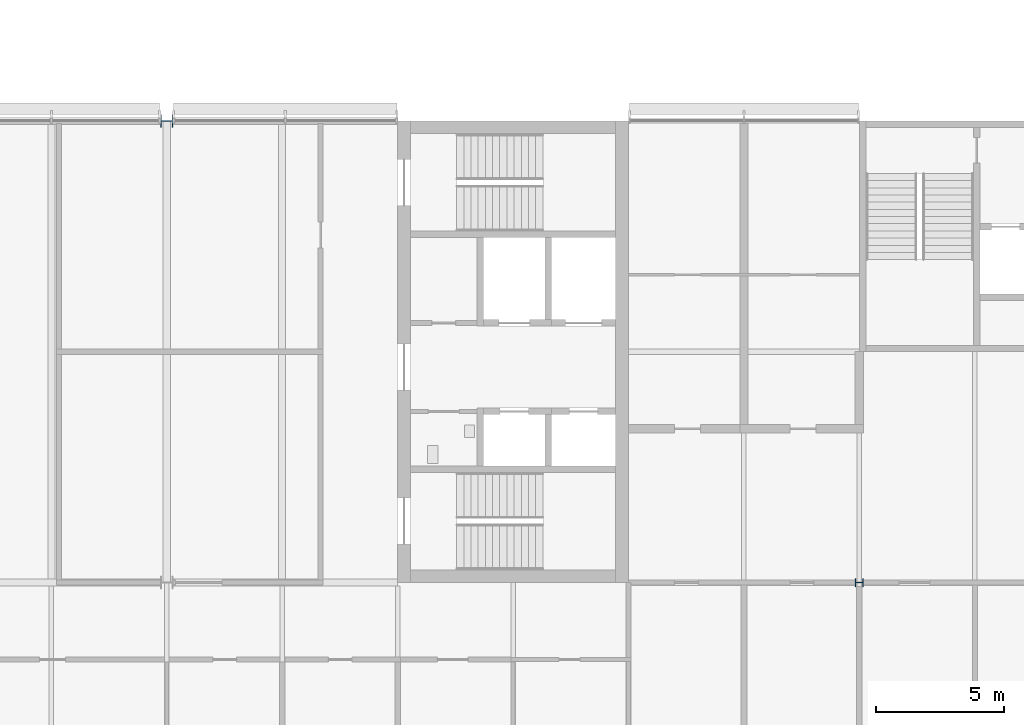
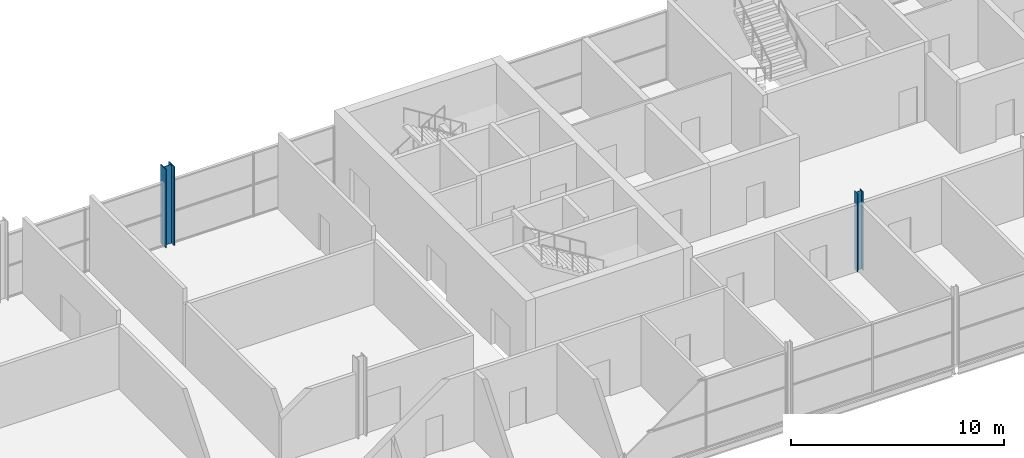
# One storey, part 15 of 97: 2 columns.
"""IFC4 building model written with IfcOpenShell, lengths in metres."""

import ifcopenshell
import ifcopenshell.guid

model = None  # the IFC model being written
_history = None  # IfcOwnerHistory: only IFC2X3 demands one
_inside = {}  # id of a spatial element -> (the spatial element, [elements in it])
_under = {}  # id of a project, library or spatial element -> (it, [spatial elements below it])
_declared = {}  # id of a project -> (the project, [libraries it declares])
_typed = {}  # id of a type object -> (the type object, [elements of that type])
_made_of = {}  # id of a material, layer set ... -> (it, [elements and type objects made of it])


def new_model(schema):
    """Start an empty IFC model of exactly this schema.

    Asked for "IFC4X3", IfcOpenShell would pick the latest addendum, in which some entities
    have other attributes; the version numbers below select the first issue.
    IFC2X3 requires an IfcOwnerHistory on every rooted entity: one is made here for all.
    """
    global model, _history
    if schema == "IFC4X3":
        model = ifcopenshell.file(schema_version=(4, 3, 0, 0))
    else:
        model = ifcopenshell.file(schema=schema)
    _inside.clear()
    _under.clear()
    _declared.clear()
    _typed.clear()
    _made_of.clear()
    _history = None
    if model.schema == "IFC2X3":
        org = make("IfcOrganization", Name="unknown")
        user = make(
            "IfcPersonAndOrganization",
            ThePerson=make("IfcPerson", FamilyName="unknown"),
            TheOrganization=org,
        )
        app = make(
            "IfcApplication",
            ApplicationDeveloper=org,
            Version="unknown",
            ApplicationFullName="unknown",
            ApplicationIdentifier="unknown",
        )
        _history = make(
            "IfcOwnerHistory",
            OwningUser=user,
            OwningApplication=app,
            ChangeAction="ADDED",
            CreationDate=0,
        )
    return model


def make(cls, **values):
    """One entity of the class cls with the attributes given. An attribute that is None is left unset."""
    return model.create_entity(
        cls, **{name: value for name, value in values.items() if value is not None}
    )


def rooted(cls, **values):
    """An entity with a GlobalId (a new one), such as an element, a storey or a relation."""
    return make(cls, GlobalId=ifcopenshell.guid.new(), OwnerHistory=_history, **values)


def si_unit(unit_type, name, prefix=None):
    """IfcSIUnit, for example si_unit("LENGTHUNIT", "METRE", prefix="MILLI")."""
    return make("IfcSIUnit", UnitType=unit_type, Prefix=prefix, Name=name)


def assignment(units):
    """IfcUnitAssignment: the units of a project."""
    return None if units is None else make("IfcUnitAssignment", Units=units)


def point(xyz):
    """IfcCartesianPoint."""
    return None if xyz is None else make("IfcCartesianPoint", Coordinates=xyz)


def direction(xyz):
    """IfcDirection."""
    return None if xyz is None else make("IfcDirection", DirectionRatios=xyz)


def frame(location, z_axis=None, x_axis=None):
    """IfcAxis2Placement3D, a coordinate frame: its origin and axes. An axis left out is left unset."""
    return make(
        "IfcAxis2Placement3D",
        Location=point(location),
        Axis=direction(z_axis),
        RefDirection=direction(x_axis),
    )


def frame_2d(location, x_axis=None):
    """IfcAxis2Placement2D, a coordinate frame in the plane: its origin and x axis."""
    return make(
        "IfcAxis2Placement2D", Location=point(location), RefDirection=direction(x_axis)
    )


def origin():
    """The frame at (0, 0, 0) with its axes left unset."""
    return frame((0.0, 0.0, 0.0))


def origin_2d():
    """The frame at (0, 0) in the plane with its x axis left unset."""
    return frame_2d((0.0, 0.0))


def place(relative_to, where):
    """IfcLocalPlacement: puts the frame where relative to a parent placement (None: the world)."""
    return make(
        "IfcLocalPlacement", PlacementRelTo=relative_to, RelativePlacement=where
    )


def context(
    kind, dimensions, precision=None, world=None, true_north=None, identifier=None
):
    """IfcGeometricRepresentationContext, for example the 3D "Model" context."""
    return make(
        "IfcGeometricRepresentationContext",
        ContextIdentifier=identifier,
        ContextType=kind,
        CoordinateSpaceDimension=dimensions,
        Precision=precision,
        WorldCoordinateSystem=world,
        TrueNorth=true_north,
    )


def subcontext(parent, identifier, kind, view, scale=None):
    """IfcGeometricRepresentationSubContext, for example "Body" below "Model"."""
    return make(
        "IfcGeometricRepresentationSubContext",
        ContextIdentifier=identifier,
        ContextType=kind,
        ParentContext=parent,
        TargetScale=scale,
        TargetView=view,
    )


def project(units=None, contexts=None):
    """IfcProject with its units and contexts."""
    return rooted(
        "IfcProject",
        Name="project",
        RepresentationContexts=contexts,
        UnitsInContext=assignment(units),
    )


def spatial(cls, under=None, at=None, **own):
    """A site, building, storey or space (cls), placed at a placement, below another one or the project."""
    s = rooted(cls, ObjectPlacement=at, **own)
    if under is not None:
        _under.setdefault(under.id(), (under, []))[1].append(s)
    return s


def profile(cls, at=None, kind="AREA", **sizes):
    """A parametric profile (cls). Its sizes go by their IFC names, for example OverallWidth=200.0."""
    return make(cls, ProfileType=kind, Position=at, **sizes)


def i_section(**sizes):
    """IfcIShapeProfileDef."""
    return profile("IfcIShapeProfileDef", **sizes)


def extrude(swept, where, along, depth):
    """IfcExtrudedAreaSolid: the profile swept, set in the frame where, extruded along a direction by depth."""
    return make(
        "IfcExtrudedAreaSolid",
        SweptArea=swept,
        Position=where,
        ExtrudedDirection=direction(along),
        Depth=depth,
    )


def shape(context_of_items, identifier, shape_type, items):
    """IfcShapeRepresentation: the items that make up one representation, for example the "Body"."""
    return make(
        "IfcShapeRepresentation",
        ContextOfItems=context_of_items,
        RepresentationIdentifier=identifier,
        RepresentationType=shape_type,
        Items=items,
    )


def material(Name=None, Category=None):
    """IfcMaterial."""
    return make("IfcMaterial", Name=Name, Category=Category)


def material_profile(
    of_material, cross_section, Name=None, Category=None, Priority=None
):
    """IfcMaterialProfile: a cross section and its material."""
    return make(
        "IfcMaterialProfile",
        Name=Name,
        Material=of_material,
        Profile=cross_section,
        Priority=Priority,
        Category=Category,
    )


def profile_set(profiles, Name=None, composite=None):
    """IfcMaterialProfileSet."""
    return make(
        "IfcMaterialProfileSet",
        Name=Name,
        MaterialProfiles=profiles,
        CompositeProfile=composite,
    )


def made_of(thing, what):
    """Note that an element or type object is made of a material, layer set ...; save() writes the relation."""
    if what is not None:
        _made_of.setdefault(what.id(), (what, []))[1].append(thing)
    return thing


def type_object(cls, material=None, **own):
    """A type object (cls), such as IfcWallType, which elements share."""
    return made_of(rooted(cls, **own), material)


def element(
    cls,
    number,
    at=None,
    inside=None,
    cuts=None,
    type_object=None,
    material=None,
    context=None,
    identifier="Body",
    shape_type=None,
    held_by="IfcProductDefinitionShape",
    body=None,
    shapes=None,
    **own,
):
    """One element of the class cls, such as IfcWall. Its Tag is "e" and its number.

    at: its placement. inside: the storey or other place that contains it. cuts: it is an
    opening in that element (IfcRelVoidsElement). A single representation is given by context,
    identifier, shape_type and body (its items); several are given by shapes. held_by: the class
    of the entity that holds the representations. save() writes the other relations.
    """
    e = rooted(cls, Tag="e%d" % number, ObjectPlacement=at, **own)
    if body is not None:
        shapes = [shape(context, identifier, shape_type, body)]
    if shapes is not None:
        e.Representation = make(held_by, Representations=shapes)
    if inside is not None:
        _inside.setdefault(inside.id(), (inside, []))[1].append(e)
    if cuts is not None:
        rooted(
            "IfcRelVoidsElement", RelatingBuildingElement=cuts, RelatedOpeningElement=e
        )
    if type_object is not None:
        _typed.setdefault(type_object.id(), (type_object, []))[1].append(e)
    return made_of(e, material)


def aggregate(whole, parts):
    """IfcRelAggregates: a whole, such as a stair, and the parts it consists of."""
    return rooted("IfcRelAggregates", RelatingObject=whole, RelatedObjects=parts)


def save(model, path):
    """Write the relations noted so far, then the file.

    IfcRelAggregates (storeys below a building ...), IfcRelContainedInSpatialStructure (elements
    in a storey), IfcRelDefinesByType, IfcRelAssociatesMaterial and IfcRelDeclares: one each for
    every whole, place, type object, material and project.
    """
    for whole, parts in _under.values():
        aggregate(whole, parts)
    for where, things in _inside.values():
        rooted(
            "IfcRelContainedInSpatialStructure",
            RelatedElements=things,
            RelatingStructure=where,
        )
    for kind, things in _typed.values():
        rooted("IfcRelDefinesByType", RelatedObjects=things, RelatingType=kind)
    for what, things in _made_of.values():
        rooted("IfcRelAssociatesMaterial", RelatedObjects=things, RelatingMaterial=what)
    for by, libraries in _declared.values():
        rooted("IfcRelDeclares", RelatingContext=by, RelatedDefinitions=libraries)
    model.write(path)


model = new_model("IFC4")

# Units and contexts
model_context = context("Model", 3, precision=1e-05, world=origin(), true_north=direction((0.0, 1.0)))
body_context = subcontext(model_context, "Body", "Model", "MODEL_VIEW")
ifc_project = project(units=[si_unit("LENGTHUNIT", "METRE"), si_unit("AREAUNIT", "SQUARE_METRE"), si_unit("VOLUMEUNIT", "CUBIC_METRE"), si_unit("PLANEANGLEUNIT", "RADIAN"), si_unit("MASSUNIT", "GRAM", prefix="KILO")], contexts=[model_context])

# Site, building, storey
site_placement = place(None, origin())
site = spatial("IfcSite", under=ifc_project, at=site_placement, CompositionType="ELEMENT")
building_placement = place(site_placement, origin())
building = spatial("IfcBuilding", under=site, at=building_placement, Name="Corbel Yard City Hall", CompositionType="ELEMENT")
storey_placement = place(building_placement, frame((0.0, 0.0, 6.0)))
storey = spatial("IfcBuildingStorey", under=building, at=storey_placement, Name="L01", CompositionType="ELEMENT", Elevation=6.0)

# Columns
ifc_material_1 = material(Name="Steel Grade 300 (300 MPa yield)", Category="steel")
ifc_material_profile_1 = material_profile(ifc_material_1, i_section(OverallWidth=0.306884765625, OverallDepth=0.31494140625, WebThickness=0.011962890625, FlangeThickness=0.018798828125, at=origin_2d()), Name="310UC118")
ifc_profile_set_1 = profile_set([ifc_material_profile_1], Name="Steel Grade 300 (300 MPa yield)")
column_type_1 = type_object("IfcColumnType", Name="Column 310UC118", PredefinedType="COLUMN", material=ifc_profile_set_1)
column_1_placement = place(storey_placement, frame((63.0, 99.0, 0.0), z_axis=(0.0, 0.0, 1.0), x_axis=(0.0, 1.0, 0.0)))
element("IfcColumn", 1, at=column_1_placement, inside=storey, type_object=column_type_1, Name="Column 310UC118 L/8 L01", PredefinedType="COLUMN", context=body_context, shape_type="SweptSolid", body=[
    extrude(i_section(OverallWidth=0.306884765625, OverallDepth=0.31494140625, WebThickness=0.011962890625, FlangeThickness=0.018798828125, at=origin_2d()), origin(), (0.0, 0.0, 1.0), 4.5),
])
ifc_material_2 = material(Name="Steel Grade 350", Category="steel")
ifc_material_profile_2 = material_profile(ifc_material_2, i_section(OverallWidth=0.5, OverallDepth=0.47998046875, WebThickness=0.0400390625, FlangeThickness=0.0400390625, at=origin_2d()), Name="500WC440")
ifc_profile_set_2 = profile_set([ifc_material_profile_2], Name="Steel Grade 350")
column_type_2 = type_object("IfcColumnType", Name="Column 500WC440", PredefinedType="COLUMN", material=ifc_profile_set_2)
column_2_placement = place(storey_placement, frame((36.0, 117.0, 0.0), z_axis=(0.0, 0.0, 1.0), x_axis=(0.0, 1.0, 0.0)))
element("IfcColumn", 2, at=column_2_placement, inside=storey, type_object=column_type_2, Name="Column 500WC440 N/5 L01", PredefinedType="COLUMN", context=body_context, shape_type="SweptSolid", body=[
    extrude(i_section(OverallWidth=0.5, OverallDepth=0.47998046875, WebThickness=0.0400390625, FlangeThickness=0.0400390625, at=origin_2d()), origin(), (0.0, 0.0, 1.0), 4.5),
])

save(model, "model.ifc")
